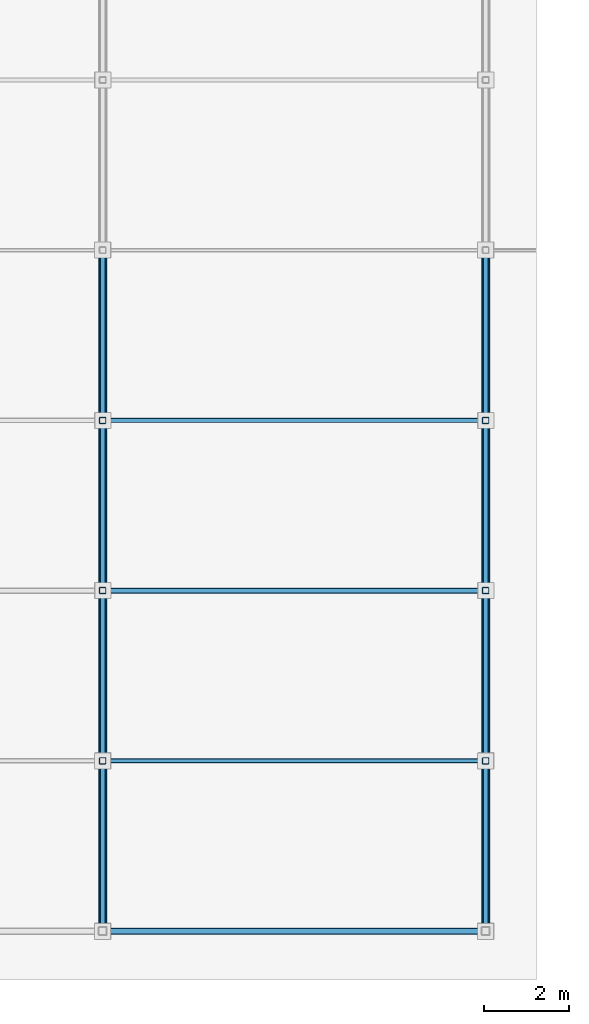
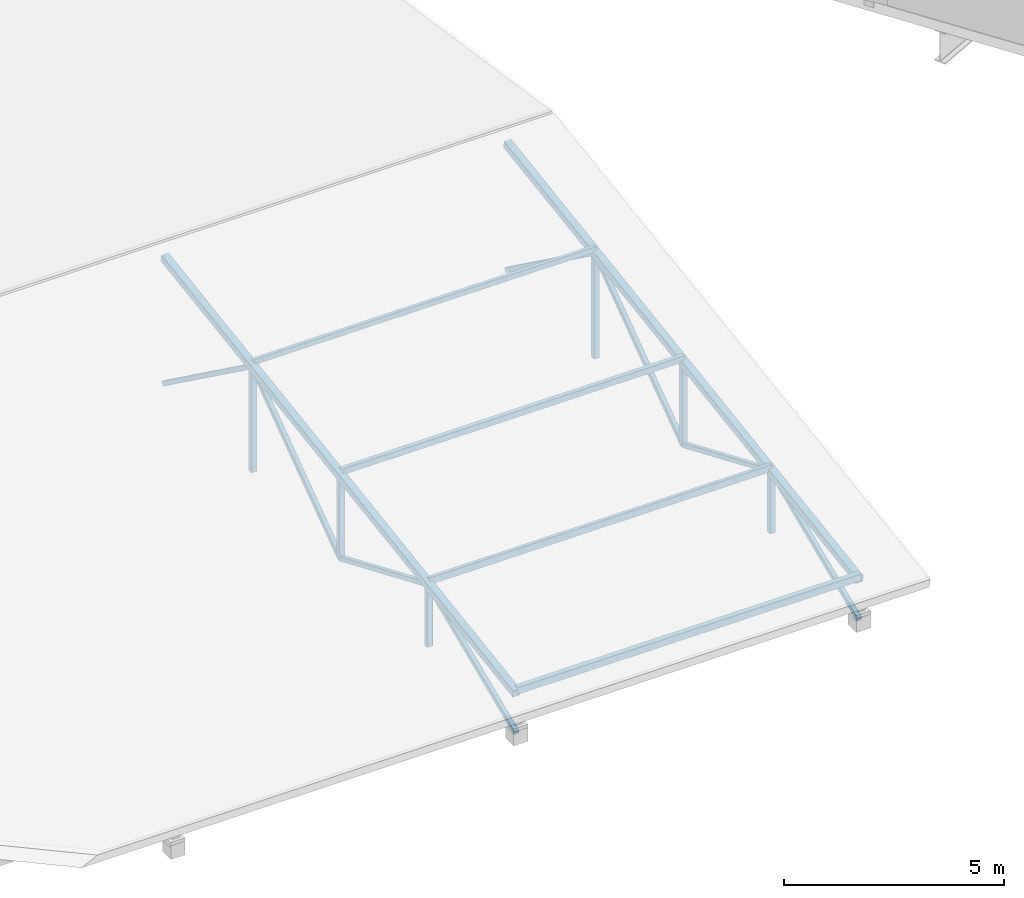
# One storey, part 18 of 118: 18 members, 2 beams.
"""IFC4 building model written with IfcOpenShell, lengths in metres."""

from ifc_helpers import new_model, si_unit, direction, frame, origin, origin_2d, place, context, subcontext, project, spatial, hollow_rectangle, extrude, material, material_profile, profile_set, type_object, element, save


model = new_model("IFC4")

# Units and contexts
model_context = context("Model", 3, precision=1e-05, world=origin(), true_north=direction((0.0, 1.0)))
body_context = subcontext(model_context, "Body", "Model", "MODEL_VIEW")
ifc_project = project(units=[si_unit("LENGTHUNIT", "METRE"), si_unit("AREAUNIT", "SQUARE_METRE"), si_unit("VOLUMEUNIT", "CUBIC_METRE"), si_unit("PLANEANGLEUNIT", "RADIAN"), si_unit("MASSUNIT", "GRAM", prefix="KILO"), si_unit("THERMODYNAMICTEMPERATUREUNIT", "KELVIN"), si_unit("POWERUNIT", "WATT")], contexts=[model_context])

# Site, building, storey
site_placement = place(None, origin())
site = spatial("IfcSite", under=ifc_project, at=site_placement, CompositionType="ELEMENT")
building_placement = place(site_placement, origin())
building = spatial("IfcBuilding", under=site, at=building_placement, Name="Zelmaris Science Centre", CompositionType="ELEMENT")
storey_placement = place(building_placement, frame((0.0, 0.0, 15.60009765625)))
storey = spatial("IfcBuildingStorey", under=building, at=storey_placement, Name="L03", CompositionType="ELEMENT", Elevation=15.60009765625)

# Beams
ifc_material = material(Name="Steel ASTM A500 Grade C", Category="steel")
ifc_material_profile_1 = material_profile(ifc_material, hollow_rectangle(XDim=0.203125, YDim=0.203125, WallThickness=0.01171875, InnerFilletRadius=0.01171875, OuterFilletRadius=0.023681640625, at=origin_2d()), Name="HSS203X203X13")
ifc_profile_set_1 = profile_set([ifc_material_profile_1], Name="Steel ASTM A500 Grade C")
beam_type = type_object("IfcBeamType", Name="Beam G-20 HSS203X203X13", PredefinedType="BEAM", material=ifc_profile_set_1)
for number, where, z_axis, x_axis, name in (
    (1, (45.0, 8.0, 0.99560546875), (0.0, 0.988937238327, 0.148334549755), (-1.0, 0.0, 0.0), "RF-V3 Roof truss 5 south top chord"),
    (2, (54.0, 8.0, 0.99560546875), (0.0, 0.988937238327, 0.148334549755), (-1.0, 0.0, 0.0), "RF-V3 Roof truss 6 south top chord"),
):
    element("IfcBeam", number, at=place(storey_placement, frame(where, z_axis=z_axis, x_axis=x_axis)), inside=storey, type_object=beam_type, Name=name, PredefinedType="BEAM", context=body_context, shape_type="SweptSolid", body=[
        extrude(hollow_rectangle(XDim=0.203125, YDim=0.203125, WallThickness=0.01171875, InnerFilletRadius=0.01171875, OuterFilletRadius=0.023681640625, at=origin_2d()), origin(), (0.0, 0.0, 1.0), 16.178955078125),
    ])

# Members
ifc_material_profile_2 = material_profile(ifc_material, hollow_rectangle(XDim=0.15234375, YDim=0.203125, WallThickness=0.0087890625, InnerFilletRadius=0.0087890625, OuterFilletRadius=0.017822265625, at=origin_2d()), Name="HSS203X152X10")
ifc_profile_set_2 = profile_set([ifc_material_profile_2], Name="Steel ASTM A500 Grade C")
member_type_1 = type_object("IfcMemberType", Name="Roof Purlin PR-02 HSS203X152X10", PredefinedType="PURLIN", material=ifc_profile_set_2)
member_1_placement = place(storey_placement, frame((45.0, 8.0, 1.090576171875), z_axis=(1.0, 0.0, 0.0), x_axis=(0.0, 1.0, 0.0)))
element("IfcMember", 3, at=member_1_placement, inside=storey, type_object=member_type_1, Name="RF-V3 Roof purlin 37", PredefinedType="PURLIN", context=body_context, shape_type="SweptSolid", body=[
    extrude(hollow_rectangle(XDim=0.15234375, YDim=0.203125, WallThickness=0.0087890625, InnerFilletRadius=0.0087890625, OuterFilletRadius=0.017822265625, at=origin_2d()), origin(), (0.0, 0.0, 1.0), 9.0),
])
ifc_material_profile_3 = material_profile(ifc_material, hollow_rectangle(XDim=0.1015625, YDim=0.203125, WallThickness=0.00732421875, InnerFilletRadius=0.00732421875, OuterFilletRadius=0.014892578125, at=origin_2d()), Name="HSS203X102X8")
ifc_profile_set_3 = profile_set([ifc_material_profile_3], Name="Steel ASTM A500 Grade C")
member_type_2 = type_object("IfcMemberType", Name="Roof Purlin PR-03 HSS203X102X8", PredefinedType="PURLIN", material=ifc_profile_set_3)
member_2_placement = place(storey_placement, frame((45.0, 12.0, 1.690673828125), z_axis=(1.0, 0.0, 0.0), x_axis=(0.0, 1.0, 0.0)))
element("IfcMember", 4, at=member_2_placement, inside=storey, type_object=member_type_2, Name="RF-V3 Roof purlin 38", PredefinedType="PURLIN", context=body_context, shape_type="SweptSolid", body=[
    extrude(hollow_rectangle(XDim=0.1015625, YDim=0.203125, WallThickness=0.00732421875, InnerFilletRadius=0.00732421875, OuterFilletRadius=0.014892578125, at=origin_2d()), origin(), (0.0, 0.0, 1.0), 9.0),
])
ifc_material_profile_4 = material_profile(ifc_material, hollow_rectangle(XDim=0.126953125, YDim=0.177734375, WallThickness=0.00732421875, InnerFilletRadius=0.00732421875, OuterFilletRadius=0.014892578125, at=origin_2d()), Name="HSS178X127X8")
ifc_profile_set_4 = profile_set([ifc_material_profile_4], Name="Steel ASTM A500 Grade C")
member_type_3 = type_object("IfcMemberType", Name="Roof Purlin PR-04 HSS178X127X8", PredefinedType="PURLIN", material=ifc_profile_set_4)
member_3_placement = place(storey_placement, frame((45.0, 16.0, 2.30322265625), z_axis=(1.0, 0.0, 0.0), x_axis=(0.0, 1.0, 0.0)))
element("IfcMember", 5, at=member_3_placement, inside=storey, type_object=member_type_3, Name="RF-V3 Roof purlin 39", PredefinedType="PURLIN", context=body_context, shape_type="SweptSolid", body=[
    extrude(hollow_rectangle(XDim=0.126953125, YDim=0.177734375, WallThickness=0.00732421875, InnerFilletRadius=0.00732421875, OuterFilletRadius=0.014892578125, at=origin_2d()), origin(), (0.0, 0.0, 1.0), 9.0),
])
ifc_material_profile_5 = material_profile(ifc_material, hollow_rectangle(XDim=0.1015625, YDim=0.15234375, WallThickness=0.005859375, InnerFilletRadius=0.005859375, OuterFilletRadius=0.01171875, at=origin_2d()), Name="HSS152X102X6")
ifc_profile_set_5 = profile_set([ifc_material_profile_5], Name="Steel ASTM A500 Grade C")
member_type_4 = type_object("IfcMemberType", Name="Roof Purlin PR-05 HSS152X102X6", PredefinedType="PURLIN", material=ifc_profile_set_5)
member_4_placement = place(storey_placement, frame((45.0, 20.0, 2.916015625), z_axis=(1.0, 0.0, 0.0), x_axis=(0.0, 1.0, 0.0)))
element("IfcMember", 6, at=member_4_placement, inside=storey, type_object=member_type_4, Name="RF-V3 Roof purlin 40", PredefinedType="PURLIN", context=body_context, shape_type="SweptSolid", body=[
    extrude(hollow_rectangle(XDim=0.1015625, YDim=0.15234375, WallThickness=0.005859375, InnerFilletRadius=0.005859375, OuterFilletRadius=0.01171875, at=origin_2d()), origin(), (0.0, 0.0, 1.0), 9.0),
])
ifc_material_profile_6 = material_profile(ifc_material, hollow_rectangle(XDim=0.15234375, YDim=0.15234375, WallThickness=0.0087890625, InnerFilletRadius=0.0087890625, OuterFilletRadius=0.017822265625, at=origin_2d()), Name="HSS152X152X10")
ifc_profile_set_6 = profile_set([ifc_material_profile_6], Name="Steel ASTM A500 Grade C")
member_type_5 = type_object("IfcMemberType", Name="Structural Brace BR-03 HSS152X152X10", PredefinedType="BRACE", material=ifc_profile_set_6)
member_5_placement = place(storey_placement, frame((45.0, 12.0, -0.1044921875), z_axis=(0.0, 0.0, 1.0), x_axis=(1.0, 0.0, 0.0)))
element("IfcMember", 7, at=member_5_placement, inside=storey, type_object=member_type_5, Name="RF-V3 Roof truss 5 vertical web 1", PredefinedType="BRACE", context=body_context, shape_type="SweptSolid", body=[
    extrude(hollow_rectangle(XDim=0.15234375, YDim=0.15234375, WallThickness=0.0087890625, InnerFilletRadius=0.0087890625, OuterFilletRadius=0.017822265625, at=origin_2d()), origin(), (0.0, 0.0, 1.0), 1.7001953125),
])
member_6_placement = place(storey_placement, frame((45.0, 16.0, -0.1044921875), z_axis=(0.0, 0.0, 1.0), x_axis=(1.0, 0.0, 0.0)))
element("IfcMember", 8, at=member_6_placement, inside=storey, type_object=member_type_5, Name="RF-V3 Roof truss 5 vertical web 2", PredefinedType="BRACE", context=body_context, shape_type="SweptSolid", body=[
    extrude(hollow_rectangle(XDim=0.15234375, YDim=0.15234375, WallThickness=0.0087890625, InnerFilletRadius=0.0087890625, OuterFilletRadius=0.017822265625, at=origin_2d()), origin(), (0.0, 0.0, 1.0), 2.300048828125),
])
member_7_placement = place(storey_placement, frame((45.0, 20.0, -0.1044921875), z_axis=(0.0, 0.0, 1.0), x_axis=(1.0, 0.0, 0.0)))
element("IfcMember", 9, at=member_7_placement, inside=storey, type_object=member_type_5, Name="RF-V3 Roof truss 5 vertical web 3", PredefinedType="BRACE", context=body_context, shape_type="SweptSolid", body=[
    extrude(hollow_rectangle(XDim=0.15234375, YDim=0.15234375, WallThickness=0.0087890625, InnerFilletRadius=0.0087890625, OuterFilletRadius=0.017822265625, at=origin_2d()), origin(), (0.0, 0.0, 1.0), 2.900146484375),
])
member_8_placement = place(storey_placement, frame((54.0, 12.0, -0.1044921875), z_axis=(0.0, 0.0, 1.0), x_axis=(1.0, 0.0, 0.0)))
element("IfcMember", 10, at=member_8_placement, inside=storey, type_object=member_type_5, Name="RF-V3 Roof truss 6 vertical web 1", PredefinedType="BRACE", context=body_context, shape_type="SweptSolid", body=[
    extrude(hollow_rectangle(XDim=0.15234375, YDim=0.15234375, WallThickness=0.0087890625, InnerFilletRadius=0.0087890625, OuterFilletRadius=0.017822265625, at=origin_2d()), origin(), (0.0, 0.0, 1.0), 1.7001953125),
])
member_9_placement = place(storey_placement, frame((54.0, 16.0, -0.1044921875), z_axis=(0.0, 0.0, 1.0), x_axis=(1.0, 0.0, 0.0)))
element("IfcMember", 11, at=member_9_placement, inside=storey, type_object=member_type_5, Name="RF-V3 Roof truss 6 vertical web 2", PredefinedType="BRACE", context=body_context, shape_type="SweptSolid", body=[
    extrude(hollow_rectangle(XDim=0.15234375, YDim=0.15234375, WallThickness=0.0087890625, InnerFilletRadius=0.0087890625, OuterFilletRadius=0.017822265625, at=origin_2d()), origin(), (0.0, 0.0, 1.0), 2.300048828125),
])
member_10_placement = place(storey_placement, frame((54.0, 20.0, -0.1044921875), z_axis=(0.0, 0.0, 1.0), x_axis=(1.0, 0.0, 0.0)))
element("IfcMember", 12, at=member_10_placement, inside=storey, type_object=member_type_5, Name="RF-V3 Roof truss 6 vertical web 3", PredefinedType="BRACE", context=body_context, shape_type="SweptSolid", body=[
    extrude(hollow_rectangle(XDim=0.15234375, YDim=0.15234375, WallThickness=0.0087890625, InnerFilletRadius=0.0087890625, OuterFilletRadius=0.017822265625, at=origin_2d()), origin(), (0.0, 0.0, 1.0), 2.900146484375),
])
ifc_material_profile_7 = material_profile(ifc_material, hollow_rectangle(XDim=0.126953125, YDim=0.126953125, WallThickness=0.00732421875, InnerFilletRadius=0.00732421875, OuterFilletRadius=0.014892578125, at=origin_2d()), Name="HSS127X127X8")
ifc_profile_set_7 = profile_set([ifc_material_profile_7], Name="Steel ASTM A500 Grade C")
member_type_6 = type_object("IfcMemberType", Name="Structural Brace BR-04 HSS127X127X8", PredefinedType="BRACE", material=ifc_profile_set_7)
for number, where, z_axis, x_axis, name in (
    (13, (45.0, 8.0, -0.1044921875), (0.0, 0.920314741215, 0.39117870226), (-1.0, 0.0, 0.0), "RF-V3 Roof truss 5 web diagonal 1"),
    (14, (45.0, 12.0, 1.595703125), (0.0, 0.920314741215, -0.39117870226), (-1.0, 0.0, 0.0), "RF-V3 Roof truss 5 web diagonal 2"),
):
    element("IfcMember", number, at=place(storey_placement, frame(where, z_axis=z_axis, x_axis=x_axis)), inside=storey, type_object=member_type_6, Name=name, PredefinedType="BRACE", context=body_context, shape_type="SweptSolid", body=[
        extrude(hollow_rectangle(XDim=0.126953125, YDim=0.126953125, WallThickness=0.00732421875, InnerFilletRadius=0.00732421875, OuterFilletRadius=0.014892578125, at=origin_2d()), origin(), (0.0, 0.0, 1.0), 4.346435546875),
    ])
for number, where, z_axis, x_axis, name in (
    (15, (45.0, 16.0, -0.1044921875), (0.0, 0.80959635384, 0.586987004838), (-1.0, 0.0, 0.0), "RF-V3 Roof truss 5 web diagonal 3"),
    (16, (45.0, 20.0, 2.795654296875), (0.0, 0.80959635384, -0.586987004838), (-1.0, 0.0, 0.0), "RF-V3 Roof truss 5 web diagonal 4"),
):
    element("IfcMember", number, at=place(storey_placement, frame(where, z_axis=z_axis, x_axis=x_axis)), inside=storey, type_object=member_type_6, Name=name, PredefinedType="BRACE", context=body_context, shape_type="SweptSolid", body=[
        extrude(hollow_rectangle(XDim=0.126953125, YDim=0.126953125, WallThickness=0.00732421875, InnerFilletRadius=0.00732421875, OuterFilletRadius=0.014892578125, at=origin_2d()), origin(), (0.0, 0.0, 1.0), 4.940673828125),
    ])
for number, where, z_axis, x_axis, name in (
    (17, (54.0, 8.0, -0.1044921875), (0.0, 0.920314741215, 0.39117870226), (-1.0, 0.0, 0.0), "RF-V3 Roof truss 6 web diagonal 1"),
    (18, (54.0, 12.0, 1.595703125), (0.0, 0.920314741215, -0.39117870226), (-1.0, 0.0, 0.0), "RF-V3 Roof truss 6 web diagonal 2"),
):
    element("IfcMember", number, at=place(storey_placement, frame(where, z_axis=z_axis, x_axis=x_axis)), inside=storey, type_object=member_type_6, Name=name, PredefinedType="BRACE", context=body_context, shape_type="SweptSolid", body=[
        extrude(hollow_rectangle(XDim=0.126953125, YDim=0.126953125, WallThickness=0.00732421875, InnerFilletRadius=0.00732421875, OuterFilletRadius=0.014892578125, at=origin_2d()), origin(), (0.0, 0.0, 1.0), 4.346435546875),
    ])
for number, where, z_axis, x_axis, name in (
    (19, (54.0, 16.0, -0.1044921875), (0.0, 0.80959635384, 0.586987004838), (-1.0, 0.0, 0.0), "RF-V3 Roof truss 6 web diagonal 3"),
    (20, (54.0, 20.0, 2.795654296875), (0.0, 0.80959635384, -0.586987004838), (-1.0, 0.0, 0.0), "RF-V3 Roof truss 6 web diagonal 4"),
):
    element("IfcMember", number, at=place(storey_placement, frame(where, z_axis=z_axis, x_axis=x_axis)), inside=storey, type_object=member_type_6, Name=name, PredefinedType="BRACE", context=body_context, shape_type="SweptSolid", body=[
        extrude(hollow_rectangle(XDim=0.126953125, YDim=0.126953125, WallThickness=0.00732421875, InnerFilletRadius=0.00732421875, OuterFilletRadius=0.014892578125, at=origin_2d()), origin(), (0.0, 0.0, 1.0), 4.940673828125),
    ])

save(model, "model.ifc")
